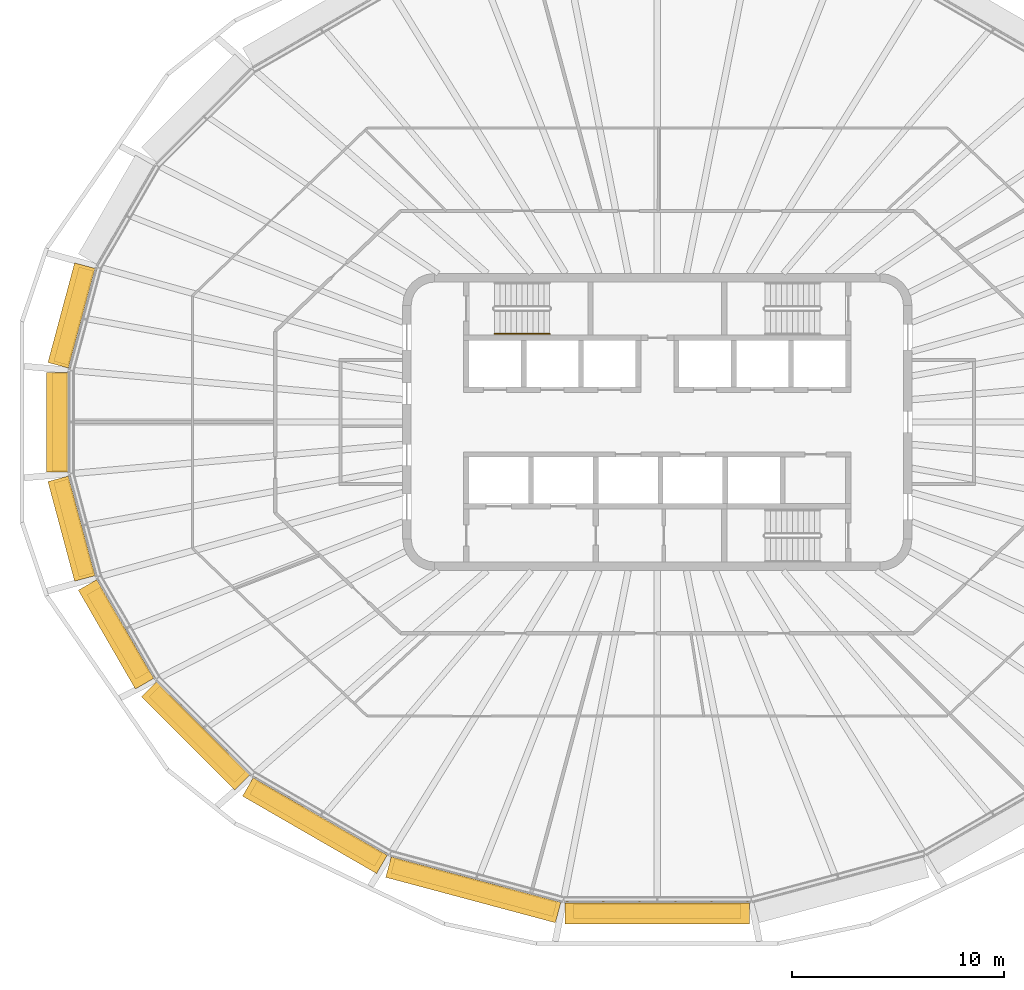
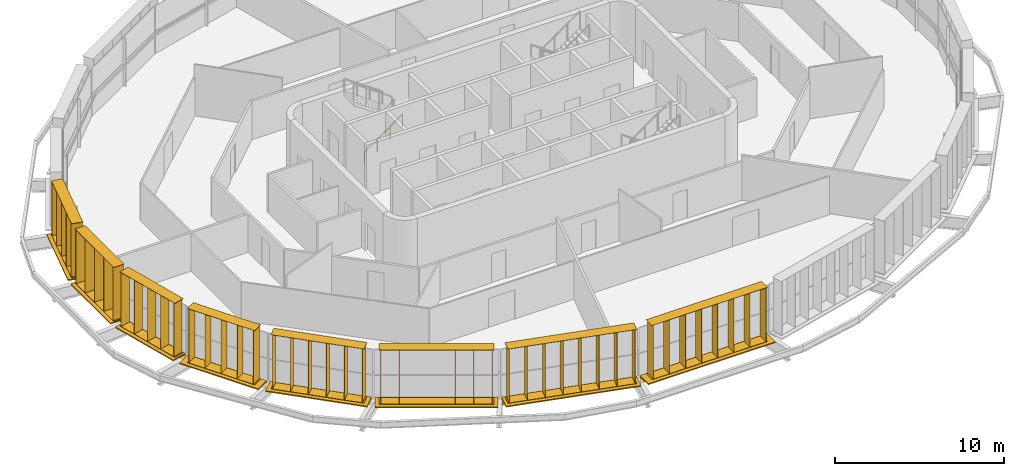
# One storey, part 14 of 18: 16 shading devices, 1 railing.
"""IFC4 building model written with IfcOpenShell, lengths in metres."""

from ifc_helpers import new_model, si_unit, direction, frame, origin, origin_2d, place, context, subcontext, project, spatial, rectangle, circle, extrude, material, type_object, element, save


model = new_model("IFC4")

# Units and contexts
model_context = context("Model", 3, precision=1e-05, world=origin(), true_north=direction((0.0, 1.0)))
body_context = subcontext(model_context, "Body", "Model", "MODEL_VIEW")
ifc_project = project(units=[si_unit("LENGTHUNIT", "METRE"), si_unit("AREAUNIT", "SQUARE_METRE"), si_unit("VOLUMEUNIT", "CUBIC_METRE"), si_unit("PLANEANGLEUNIT", "RADIAN"), si_unit("MASSUNIT", "GRAM", prefix="KILO")], contexts=[model_context])

# Site, building, storey
site_placement = place(None, origin())
site = spatial("IfcSite", under=ifc_project, at=site_placement, CompositionType="ELEMENT")
building_placement = place(site_placement, origin())
building = spatial("IfcBuilding", under=site, at=building_placement, Name="Sahrelin Media Tower", CompositionType="ELEMENT")
storey_placement = place(building_placement, frame((0.0, 0.0, 295.0)))
storey = spatial("IfcBuildingStorey", under=building, at=storey_placement, Name="L65", CompositionType="ELEMENT", Elevation=295.0)

# Shading devices
ifc_material_1 = material(Name="Champagne anodised aluminium 6063-T6", Category="aluminium")
shading_device_type_1 = type_object("IfcShadingDeviceType", Name="Fin cassette", PredefinedType="USERDEFINED", material=ifc_material_1)
placement_1 = place(storey_placement, frame((-27.10205078125, 4.886962890625, 0.0), z_axis=(0.0, 0.0, 1.0), x_axis=(0.258807731996, 0.965928857556, 0.0)))
element("IfcShadingDevice", 1, at=placement_1, inside=storey, type_object=shading_device_type_1, Name="L65:FIN:L65-11", ObjectType="FIN", PredefinedType="USERDEFINED", context=body_context, shape_type="SweptSolid", body=[
    extrude(rectangle(XDim=4.60009765625, YDim=0.699951171875, at=origin_2d()), frame((0.0, 0.419921875, 0.0)), (0.0, 0.0, 1.0), 0.02001953125),
    extrude(rectangle(XDim=4.60009765625, YDim=0.699951171875, at=origin_2d()), frame((0.0, 0.419921875, 3.89990234375)), (0.0, 0.0, 1.0), 0.02001953125),
    extrude(rectangle(XDim=0.02001953125, YDim=0.699951171875, at=origin_2d()), frame((-2.199951171875, 0.419921875, 0.010009765625), z_axis=(0.0, 0.0, 1.0), x_axis=(1.0, 0.0, 0.0)), (0.0, 0.0, 1.0), 3.89990234375),
    extrude(rectangle(XDim=0.02001953125, YDim=0.699951171875, at=origin_2d()), frame((-1.10009765625, 0.419921875, 0.010009765625), z_axis=(0.0, 0.0, 1.0), x_axis=(1.0, 0.0, 0.0)), (0.0, 0.0, 1.0), 3.89990234375),
    extrude(rectangle(XDim=0.02001953125, YDim=0.699951171875, at=origin_2d()), frame((0.0, 0.419921875, 0.010009765625), z_axis=(0.0, 0.0, 1.0), x_axis=(1.0, 0.0, 0.0)), (0.0, 0.0, 1.0), 3.89990234375),
    extrude(rectangle(XDim=0.02001953125, YDim=0.699951171875, at=origin_2d()), frame((1.10009765625, 0.419921875, 0.010009765625), z_axis=(0.0, 0.0, 1.0), x_axis=(1.0, 0.0, 0.0)), (0.0, 0.0, 1.0), 3.89990234375),
    extrude(rectangle(XDim=0.02001953125, YDim=0.699951171875, at=origin_2d()), frame((2.199951171875, 0.419921875, 0.010009765625), z_axis=(0.0, 0.0, 1.0), x_axis=(1.0, 0.0, 0.0)), (0.0, 0.0, 1.0), 3.89990234375),
])
placement_2 = place(storey_placement, frame((-27.756591796875, 0.0, 0.0), z_axis=(0.0, 0.0, 1.0), x_axis=(0.0, 1.0, 0.0)))
element("IfcShadingDevice", 2, at=placement_2, inside=storey, type_object=shading_device_type_1, Name="L65:FIN:L65-12", ObjectType="FIN", PredefinedType="USERDEFINED", context=body_context, shape_type="SweptSolid", body=[
    extrude(rectangle(XDim=4.60009765625, YDim=0.699951171875, at=origin_2d()), frame((0.0, 0.419921875, 0.0)), (0.0, 0.0, 1.0), 0.02001953125),
    extrude(rectangle(XDim=4.60009765625, YDim=0.699951171875, at=origin_2d()), frame((0.0, 0.419921875, 3.89990234375)), (0.0, 0.0, 1.0), 0.02001953125),
    extrude(rectangle(XDim=0.02001953125, YDim=0.699951171875, at=origin_2d()), frame((-2.199951171875, 0.419921875, 0.010009765625), z_axis=(0.0, 0.0, 1.0), x_axis=(1.0, 0.0, 0.0)), (0.0, 0.0, 1.0), 3.89990234375),
    extrude(rectangle(XDim=0.02001953125, YDim=0.699951171875, at=origin_2d()), frame((-1.10009765625, 0.419921875, 0.010009765625), z_axis=(0.0, 0.0, 1.0), x_axis=(1.0, 0.0, 0.0)), (0.0, 0.0, 1.0), 3.89990234375),
    extrude(rectangle(XDim=0.02001953125, YDim=0.699951171875, at=origin_2d()), frame((0.0, 0.419921875, 0.010009765625), z_axis=(0.0, 0.0, 1.0), x_axis=(1.0, 0.0, 0.0)), (0.0, 0.0, 1.0), 3.89990234375),
    extrude(rectangle(XDim=0.02001953125, YDim=0.699951171875, at=origin_2d()), frame((1.10009765625, 0.419921875, 0.010009765625), z_axis=(0.0, 0.0, 1.0), x_axis=(1.0, 0.0, 0.0)), (0.0, 0.0, 1.0), 3.89990234375),
    extrude(rectangle(XDim=0.02001953125, YDim=0.699951171875, at=origin_2d()), frame((2.199951171875, 0.419921875, 0.010009765625), z_axis=(0.0, 0.0, 1.0), x_axis=(1.0, 0.0, 0.0)), (0.0, 0.0, 1.0), 3.89990234375),
])
placement_3 = place(storey_placement, frame((-27.10205078125, -4.88671875, 0.0), z_axis=(0.0, 0.0, 1.0), x_axis=(-0.258807731996, 0.965928857556, 0.0)))
element("IfcShadingDevice", 3, at=placement_3, inside=storey, type_object=shading_device_type_1, Name="L65:FIN:L65-13", ObjectType="FIN", PredefinedType="USERDEFINED", context=body_context, shape_type="SweptSolid", body=[
    extrude(rectangle(XDim=4.60009765625, YDim=0.699951171875, at=origin_2d()), frame((0.0, 0.419921875, 0.0)), (0.0, 0.0, 1.0), 0.02001953125),
    extrude(rectangle(XDim=4.60009765625, YDim=0.699951171875, at=origin_2d()), frame((0.0, 0.419921875, 3.89990234375)), (0.0, 0.0, 1.0), 0.02001953125),
    extrude(rectangle(XDim=0.02001953125, YDim=0.699951171875, at=origin_2d()), frame((-2.199951171875, 0.419921875, 0.010009765625), z_axis=(0.0, 0.0, 1.0), x_axis=(1.0, 0.0, 0.0)), (0.0, 0.0, 1.0), 3.89990234375),
    extrude(rectangle(XDim=0.02001953125, YDim=0.699951171875, at=origin_2d()), frame((-1.10009765625, 0.419921875, 0.010009765625), z_axis=(0.0, 0.0, 1.0), x_axis=(1.0, 0.0, 0.0)), (0.0, 0.0, 1.0), 3.89990234375),
    extrude(rectangle(XDim=0.02001953125, YDim=0.699951171875, at=origin_2d()), frame((0.0, 0.419921875, 0.010009765625), z_axis=(0.0, 0.0, 1.0), x_axis=(1.0, 0.0, 0.0)), (0.0, 0.0, 1.0), 3.89990234375),
    extrude(rectangle(XDim=0.02001953125, YDim=0.699951171875, at=origin_2d()), frame((1.10009765625, 0.419921875, 0.010009765625), z_axis=(0.0, 0.0, 1.0), x_axis=(1.0, 0.0, 0.0)), (0.0, 0.0, 1.0), 3.89990234375),
    extrude(rectangle(XDim=0.02001953125, YDim=0.699951171875, at=origin_2d()), frame((2.199951171875, 0.419921875, 0.010009765625), z_axis=(0.0, 0.0, 1.0), x_axis=(1.0, 0.0, 0.0)), (0.0, 0.0, 1.0), 3.89990234375),
])
placement_4 = place(storey_placement, frame((-25.0546875, -9.74169921875, 0.0), z_axis=(0.0, 0.0, 1.0), x_axis=(-0.500011000363, 0.866019052629, 0.0)))
element("IfcShadingDevice", 4, at=placement_4, inside=storey, type_object=shading_device_type_1, Name="L65:FIN:L65-14", ObjectType="FIN", PredefinedType="USERDEFINED", context=body_context, shape_type="SweptSolid", body=[
    extrude(rectangle(XDim=4.60009765625, YDim=0.699951171875, at=origin_2d()), frame((0.0, 0.419921875, 0.0)), (0.0, 0.0, 1.0), 0.02001953125),
    extrude(rectangle(XDim=4.60009765625, YDim=0.699951171875, at=origin_2d()), frame((0.0, 0.419921875, 3.89990234375)), (0.0, 0.0, 1.0), 0.02001953125),
    extrude(rectangle(XDim=0.02001953125, YDim=0.699951171875, at=origin_2d()), frame((-2.199951171875, 0.419921875, 0.010009765625), z_axis=(0.0, 0.0, 1.0), x_axis=(1.0, 0.0, 0.0)), (0.0, 0.0, 1.0), 3.89990234375),
    extrude(rectangle(XDim=0.02001953125, YDim=0.699951171875, at=origin_2d()), frame((-1.10009765625, 0.419921875, 0.010009765625), z_axis=(0.0, 0.0, 1.0), x_axis=(1.0, 0.0, 0.0)), (0.0, 0.0, 1.0), 3.89990234375),
    extrude(rectangle(XDim=0.02001953125, YDim=0.699951171875, at=origin_2d()), frame((0.0, 0.419921875, 0.010009765625), z_axis=(0.0, 0.0, 1.0), x_axis=(1.0, 0.0, 0.0)), (0.0, 0.0, 1.0), 3.89990234375),
    extrude(rectangle(XDim=0.02001953125, YDim=0.699951171875, at=origin_2d()), frame((1.10009765625, 0.419921875, 0.010009765625), z_axis=(0.0, 0.0, 1.0), x_axis=(1.0, 0.0, 0.0)), (0.0, 0.0, 1.0), 3.89990234375),
    extrude(rectangle(XDim=0.02001953125, YDim=0.699951171875, at=origin_2d()), frame((2.199951171875, 0.419921875, 0.010009765625), z_axis=(0.0, 0.0, 1.0), x_axis=(1.0, 0.0, 0.0)), (0.0, 0.0, 1.0), 3.89990234375),
])
placement_5 = place(storey_placement, frame((-21.392333984375, -14.423828125, 0.0), z_axis=(0.0, 0.0, 1.0), x_axis=(-0.707106781187, 0.707106781187, 0.0)))
element("IfcShadingDevice", 5, at=placement_5, inside=storey, type_object=shading_device_type_1, Name="L65:FIN:L65-15", ObjectType="FIN", PredefinedType="USERDEFINED", context=body_context, shape_type="SweptSolid", body=[
    extrude(rectangle(XDim=5.699951171875, YDim=0.699951171875, at=origin_2d()), frame((0.0, 0.419921875, 0.0)), (0.0, 0.0, 1.0), 0.02001953125),
    extrude(rectangle(XDim=5.699951171875, YDim=0.699951171875, at=origin_2d()), frame((0.0, 0.419921875, 3.89990234375)), (0.0, 0.0, 1.0), 0.02001953125),
    extrude(rectangle(XDim=0.02001953125, YDim=0.699951171875, at=origin_2d()), frame((-2.75, 0.419921875, 0.010009765625), z_axis=(0.0, 0.0, 1.0), x_axis=(1.0, 0.0, 0.0)), (0.0, 0.0, 1.0), 3.89990234375),
    extrude(rectangle(XDim=0.02001953125, YDim=0.699951171875, at=origin_2d()), frame((-1.64990234375, 0.419921875, 0.010009765625), z_axis=(0.0, 0.0, 1.0), x_axis=(1.0, 0.0, 0.0)), (0.0, 0.0, 1.0), 3.89990234375),
    extrude(rectangle(XDim=0.02001953125, YDim=0.699951171875, at=origin_2d()), frame((-0.550048828125, 0.419921875, 0.010009765625), z_axis=(0.0, 0.0, 1.0), x_axis=(1.0, 0.0, 0.0)), (0.0, 0.0, 1.0), 3.89990234375),
    extrude(rectangle(XDim=0.02001953125, YDim=0.699951171875, at=origin_2d()), frame((0.550048828125, 0.419921875, 0.010009765625), z_axis=(0.0, 0.0, 1.0), x_axis=(1.0, 0.0, 0.0)), (0.0, 0.0, 1.0), 3.89990234375),
    extrude(rectangle(XDim=0.02001953125, YDim=0.699951171875, at=origin_2d()), frame((1.64990234375, 0.419921875, 0.010009765625), z_axis=(0.0, 0.0, 1.0), x_axis=(1.0, 0.0, 0.0)), (0.0, 0.0, 1.0), 3.89990234375),
    extrude(rectangle(XDim=0.02001953125, YDim=0.699951171875, at=origin_2d()), frame((2.75, 0.419921875, 0.010009765625), z_axis=(0.0, 0.0, 1.0), x_axis=(1.0, 0.0, 0.0)), (0.0, 0.0, 1.0), 3.89990234375),
])
placement_6 = place(storey_placement, frame((-15.87646484375, -18.567626953125, 0.0), z_axis=(0.0, 0.0, 1.0), x_axis=(-0.866019052629, 0.500011000363, 0.0)))
element("IfcShadingDevice", 6, at=placement_6, inside=storey, type_object=shading_device_type_1, Name="L65:FIN:L65-16", ObjectType="FIN", PredefinedType="USERDEFINED", context=body_context, shape_type="SweptSolid", body=[
    extrude(rectangle(XDim=6.800048828125, YDim=0.699951171875, at=origin_2d()), frame((0.0, 0.419921875, 0.0)), (0.0, 0.0, 1.0), 0.02001953125),
    extrude(rectangle(XDim=6.800048828125, YDim=0.699951171875, at=origin_2d()), frame((0.0, 0.419921875, 3.89990234375)), (0.0, 0.0, 1.0), 0.02001953125),
    extrude(rectangle(XDim=0.02001953125, YDim=0.699951171875, at=origin_2d()), frame((-3.300048828125, 0.419921875, 0.010009765625), z_axis=(0.0, 0.0, 1.0), x_axis=(1.0, 0.0, 0.0)), (0.0, 0.0, 1.0), 3.89990234375),
    extrude(rectangle(XDim=0.02001953125, YDim=0.699951171875, at=origin_2d()), frame((-2.199951171875, 0.419921875, 0.010009765625), z_axis=(0.0, 0.0, 1.0), x_axis=(1.0, 0.0, 0.0)), (0.0, 0.0, 1.0), 3.89990234375),
    extrude(rectangle(XDim=0.02001953125, YDim=0.699951171875, at=origin_2d()), frame((-1.10009765625, 0.419921875, 0.010009765625), z_axis=(0.0, 0.0, 1.0), x_axis=(1.0, 0.0, 0.0)), (0.0, 0.0, 1.0), 3.89990234375),
    extrude(rectangle(XDim=0.02001953125, YDim=0.699951171875, at=origin_2d()), frame((0.0, 0.419921875, 0.010009765625), z_axis=(0.0, 0.0, 1.0), x_axis=(1.0, 0.0, 0.0)), (0.0, 0.0, 1.0), 3.89990234375),
    extrude(rectangle(XDim=0.02001953125, YDim=0.699951171875, at=origin_2d()), frame((1.10009765625, 0.419921875, 0.010009765625), z_axis=(0.0, 0.0, 1.0), x_axis=(1.0, 0.0, 0.0)), (0.0, 0.0, 1.0), 3.89990234375),
    extrude(rectangle(XDim=0.02001953125, YDim=0.699951171875, at=origin_2d()), frame((2.199951171875, 0.419921875, 0.010009765625), z_axis=(0.0, 0.0, 1.0), x_axis=(1.0, 0.0, 0.0)), (0.0, 0.0, 1.0), 3.89990234375),
    extrude(rectangle(XDim=0.02001953125, YDim=0.699951171875, at=origin_2d()), frame((3.300048828125, 0.419921875, 0.010009765625), z_axis=(0.0, 0.0, 1.0), x_axis=(1.0, 0.0, 0.0)), (0.0, 0.0, 1.0), 3.89990234375),
])
placement_7 = place(storey_placement, frame((-8.536865234375, -21.53857421875, 0.0), z_axis=(0.0, 0.0, 1.0), x_axis=(-0.965928857556, 0.258807731996, 0.0)))
element("IfcShadingDevice", 7, at=placement_7, inside=storey, type_object=shading_device_type_1, Name="L65:FIN:L65-17", ObjectType="FIN", PredefinedType="USERDEFINED", context=body_context, shape_type="SweptSolid", body=[
    extrude(rectangle(XDim=7.89990234375, YDim=0.699951171875, at=origin_2d()), frame((0.0, 0.419921875, 0.0)), (0.0, 0.0, 1.0), 0.02001953125),
    extrude(rectangle(XDim=7.89990234375, YDim=0.699951171875, at=origin_2d()), frame((0.0, 0.419921875, 3.89990234375)), (0.0, 0.0, 1.0), 0.02001953125),
    extrude(rectangle(XDim=0.02001953125, YDim=0.699951171875, at=origin_2d()), frame((-3.85009765625, 0.419921875, 0.010009765625), z_axis=(0.0, 0.0, 1.0), x_axis=(1.0, 0.0, 0.0)), (0.0, 0.0, 1.0), 3.89990234375),
    extrude(rectangle(XDim=0.02001953125, YDim=0.699951171875, at=origin_2d()), frame((-2.75, 0.419921875, 0.010009765625), z_axis=(0.0, 0.0, 1.0), x_axis=(1.0, 0.0, 0.0)), (0.0, 0.0, 1.0), 3.89990234375),
    extrude(rectangle(XDim=0.02001953125, YDim=0.699951171875, at=origin_2d()), frame((-1.64990234375, 0.419921875, 0.010009765625), z_axis=(0.0, 0.0, 1.0), x_axis=(1.0, 0.0, 0.0)), (0.0, 0.0, 1.0), 3.89990234375),
    extrude(rectangle(XDim=0.02001953125, YDim=0.699951171875, at=origin_2d()), frame((-0.550048828125, 0.419921875, 0.010009765625), z_axis=(0.0, 0.0, 1.0), x_axis=(1.0, 0.0, 0.0)), (0.0, 0.0, 1.0), 3.89990234375),
    extrude(rectangle(XDim=0.02001953125, YDim=0.699951171875, at=origin_2d()), frame((0.550048828125, 0.419921875, 0.010009765625), z_axis=(0.0, 0.0, 1.0), x_axis=(1.0, 0.0, 0.0)), (0.0, 0.0, 1.0), 3.89990234375),
    extrude(rectangle(XDim=0.02001953125, YDim=0.699951171875, at=origin_2d()), frame((1.64990234375, 0.419921875, 0.010009765625), z_axis=(0.0, 0.0, 1.0), x_axis=(1.0, 0.0, 0.0)), (0.0, 0.0, 1.0), 3.89990234375),
    extrude(rectangle(XDim=0.02001953125, YDim=0.699951171875, at=origin_2d()), frame((2.75, 0.419921875, 0.010009765625), z_axis=(0.0, 0.0, 1.0), x_axis=(1.0, 0.0, 0.0)), (0.0, 0.0, 1.0), 3.89990234375),
    extrude(rectangle(XDim=0.02001953125, YDim=0.699951171875, at=origin_2d()), frame((3.85009765625, 0.419921875, 0.010009765625), z_axis=(0.0, 0.0, 1.0), x_axis=(1.0, 0.0, 0.0)), (0.0, 0.0, 1.0), 3.89990234375),
])
placement_8 = place(storey_placement, frame((0.0, -22.635498046875, 0.0), z_axis=(0.0, 0.0, 1.0), x_axis=(-1.0, 0.0, 0.0)))
element("IfcShadingDevice", 8, at=placement_8, inside=storey, type_object=shading_device_type_1, Name="L65:FIN:L65-18", ObjectType="FIN", PredefinedType="USERDEFINED", context=body_context, shape_type="SweptSolid", body=[
    extrude(rectangle(XDim=7.89990234375, YDim=0.699951171875, at=origin_2d()), frame((0.0, 0.419921875, 0.0)), (0.0, 0.0, 1.0), 0.02001953125),
    extrude(rectangle(XDim=7.89990234375, YDim=0.699951171875, at=origin_2d()), frame((0.0, 0.419921875, 3.89990234375)), (0.0, 0.0, 1.0), 0.02001953125),
    extrude(rectangle(XDim=0.02001953125, YDim=0.699951171875, at=origin_2d()), frame((-3.85009765625, 0.419921875, 0.010009765625), z_axis=(0.0, 0.0, 1.0), x_axis=(1.0, 0.0, 0.0)), (0.0, 0.0, 1.0), 3.89990234375),
    extrude(rectangle(XDim=0.02001953125, YDim=0.699951171875, at=origin_2d()), frame((-2.75, 0.419921875, 0.010009765625), z_axis=(0.0, 0.0, 1.0), x_axis=(1.0, 0.0, 0.0)), (0.0, 0.0, 1.0), 3.89990234375),
    extrude(rectangle(XDim=0.02001953125, YDim=0.699951171875, at=origin_2d()), frame((-1.64990234375, 0.419921875, 0.010009765625), z_axis=(0.0, 0.0, 1.0), x_axis=(1.0, 0.0, 0.0)), (0.0, 0.0, 1.0), 3.89990234375),
    extrude(rectangle(XDim=0.02001953125, YDim=0.699951171875, at=origin_2d()), frame((-0.550048828125, 0.419921875, 0.010009765625), z_axis=(0.0, 0.0, 1.0), x_axis=(1.0, 0.0, 0.0)), (0.0, 0.0, 1.0), 3.89990234375),
    extrude(rectangle(XDim=0.02001953125, YDim=0.699951171875, at=origin_2d()), frame((0.550048828125, 0.419921875, 0.010009765625), z_axis=(0.0, 0.0, 1.0), x_axis=(1.0, 0.0, 0.0)), (0.0, 0.0, 1.0), 3.89990234375),
    extrude(rectangle(XDim=0.02001953125, YDim=0.699951171875, at=origin_2d()), frame((1.64990234375, 0.419921875, 0.010009765625), z_axis=(0.0, 0.0, 1.0), x_axis=(1.0, 0.0, 0.0)), (0.0, 0.0, 1.0), 3.89990234375),
    extrude(rectangle(XDim=0.02001953125, YDim=0.699951171875, at=origin_2d()), frame((2.75, 0.419921875, 0.010009765625), z_axis=(0.0, 0.0, 1.0), x_axis=(1.0, 0.0, 0.0)), (0.0, 0.0, 1.0), 3.89990234375),
    extrude(rectangle(XDim=0.02001953125, YDim=0.699951171875, at=origin_2d()), frame((3.85009765625, 0.419921875, 0.010009765625), z_axis=(0.0, 0.0, 1.0), x_axis=(1.0, 0.0, 0.0)), (0.0, 0.0, 1.0), 3.89990234375),
])

# Railing
ifc_material_2 = material(Name="Steel S355", Category="steel")
railing_type = type_object("IfcRailingType", Name="Stair handrail 900", PredefinedType="HANDRAIL", material=ifc_material_2)
railing_placement = place(storey_placement, frame((-7.675048828125, 4.14990234375, 0.181884765625)))
element("IfcRailing", 9, at=railing_placement, inside=storey, type_object=railing_type, Name="L65 ST1 stair handrail 1", PredefinedType="HANDRAIL", context=body_context, shape_type="SweptSolid", body=[
    extrude(circle(Radius=0.02392578125, at=origin_2d()), frame((0.0, 0.0, 0.8759765625), z_axis=(0.819521025635, 0.0, 0.573049115296), x_axis=(0.0, 1.0, 0.0)), (0.0, 0.0, 1.0), 3.172607421875),
    extrude(circle(Radius=0.02099609375, at=origin_2d()), origin(), (0.0, 0.0, 1.0), 0.851806640625),
    extrude(circle(Radius=0.02099609375, at=origin_2d()), frame((0.86669921875, 0.0, 0.60595703125)), (0.0, 0.0, 1.0), 0.851806640625),
    extrude(circle(Radius=0.02099609375, at=origin_2d()), frame((1.7333984375, 0.0, 1.212158203125)), (0.0, 0.0, 1.0), 0.851806640625),
    extrude(circle(Radius=0.02099609375, at=origin_2d()), frame((2.60009765625, 0.0, 1.818115234375)), (0.0, 0.0, 1.0), 0.851806640625),
])

# Shading devices
shading_device_type_2 = type_object("IfcShadingDeviceType", Name="Sunshade band", PredefinedType="USERDEFINED", material=ifc_material_1)
element("IfcShadingDevice", 10, at=placement_1, inside=storey, type_object=shading_device_type_2, Name="L65:SUN:L65-11", ObjectType="SUNSHADE", PredefinedType="USERDEFINED", context=body_context, shape_type="SweptSolid", body=[
    extrude(rectangle(XDim=4.857666015625, YDim=0.050048828125, at=origin_2d()), frame((0.0, 0.044921875, -0.55126953125)), (0.0, 0.0, 1.0), 0.471435546875),
    extrude(rectangle(XDim=4.857666015625, YDim=1.0, at=origin_2d()), frame((0.0, 0.52001953125, -0.080078125)), (0.0, 0.0, 1.0), 0.080078125),
    extrude(rectangle(XDim=0.10009765625, YDim=0.074951171875, at=origin_2d()), frame((-2.328857421875, -0.017578125, -0.47021484375)), (0.0, 0.0, 1.0), 0.300048828125),
    extrude(rectangle(XDim=0.10009765625, YDim=0.074951171875, at=origin_2d()), frame((-0.7763671875, -0.017578125, -0.47021484375)), (0.0, 0.0, 1.0), 0.300048828125),
    extrude(rectangle(XDim=0.10009765625, YDim=0.074951171875, at=origin_2d()), frame((0.7763671875, -0.017578125, -0.47021484375)), (0.0, 0.0, 1.0), 0.300048828125),
    extrude(rectangle(XDim=0.10009765625, YDim=0.074951171875, at=origin_2d()), frame((2.328857421875, -0.017578125, -0.47021484375)), (0.0, 0.0, 1.0), 0.300048828125),
])
element("IfcShadingDevice", 11, at=placement_2, inside=storey, type_object=shading_device_type_2, Name="L65:SUN:L65-12", ObjectType="SUNSHADE", PredefinedType="USERDEFINED", context=body_context, shape_type="SweptSolid", body=[
    extrude(rectangle(XDim=4.6884765625, YDim=0.050048828125, at=origin_2d()), frame((0.0, 0.044921875, -0.55126953125)), (0.0, 0.0, 1.0), 0.471435546875),
    extrude(rectangle(XDim=4.6884765625, YDim=1.0, at=origin_2d()), frame((0.0, 0.52001953125, -0.080078125)), (0.0, 0.0, 1.0), 0.080078125),
    extrude(rectangle(XDim=0.10009765625, YDim=0.074951171875, at=origin_2d()), frame((-2.244140625, -0.017578125, -0.47021484375)), (0.0, 0.0, 1.0), 0.300048828125),
    extrude(rectangle(XDim=0.10009765625, YDim=0.074951171875, at=origin_2d()), frame((-0.748046875, -0.017578125, -0.47021484375)), (0.0, 0.0, 1.0), 0.300048828125),
    extrude(rectangle(XDim=0.10009765625, YDim=0.074951171875, at=origin_2d()), frame((0.748046875, -0.017578125, -0.47021484375)), (0.0, 0.0, 1.0), 0.300048828125),
    extrude(rectangle(XDim=0.10009765625, YDim=0.074951171875, at=origin_2d()), frame((2.244140625, -0.017578125, -0.47021484375)), (0.0, 0.0, 1.0), 0.300048828125),
])
element("IfcShadingDevice", 12, at=placement_3, inside=storey, type_object=shading_device_type_2, Name="L65:SUN:L65-13", ObjectType="SUNSHADE", PredefinedType="USERDEFINED", context=body_context, shape_type="SweptSolid", body=[
    extrude(rectangle(XDim=4.857666015625, YDim=0.050048828125, at=origin_2d()), frame((0.0, 0.044921875, -0.55126953125)), (0.0, 0.0, 1.0), 0.471435546875),
    extrude(rectangle(XDim=4.857666015625, YDim=1.0, at=origin_2d()), frame((0.0, 0.52001953125, -0.080078125)), (0.0, 0.0, 1.0), 0.080078125),
    extrude(rectangle(XDim=0.10009765625, YDim=0.074951171875, at=origin_2d()), frame((-2.328857421875, -0.017578125, -0.47021484375)), (0.0, 0.0, 1.0), 0.300048828125),
    extrude(rectangle(XDim=0.10009765625, YDim=0.074951171875, at=origin_2d()), frame((-0.7763671875, -0.017578125, -0.47021484375)), (0.0, 0.0, 1.0), 0.300048828125),
    extrude(rectangle(XDim=0.10009765625, YDim=0.074951171875, at=origin_2d()), frame((0.7763671875, -0.017578125, -0.47021484375)), (0.0, 0.0, 1.0), 0.300048828125),
    extrude(rectangle(XDim=0.10009765625, YDim=0.074951171875, at=origin_2d()), frame((2.328857421875, -0.017578125, -0.47021484375)), (0.0, 0.0, 1.0), 0.300048828125),
])
element("IfcShadingDevice", 13, at=placement_4, inside=storey, type_object=shading_device_type_2, Name="L65:SUN:L65-14", ObjectType="SUNSHADE", PredefinedType="USERDEFINED", context=body_context, shape_type="SweptSolid", body=[
    extrude(rectangle(XDim=5.370849609375, YDim=0.050048828125, at=origin_2d()), frame((0.0, 0.044921875, -0.55126953125)), (0.0, 0.0, 1.0), 0.471435546875),
    extrude(rectangle(XDim=5.370849609375, YDim=1.0, at=origin_2d()), frame((0.0, 0.52001953125, -0.080078125)), (0.0, 0.0, 1.0), 0.080078125),
    extrude(rectangle(XDim=0.10009765625, YDim=0.074951171875, at=origin_2d()), frame((-2.58544921875, -0.017578125, -0.47021484375)), (0.0, 0.0, 1.0), 0.300048828125),
    extrude(rectangle(XDim=0.10009765625, YDim=0.074951171875, at=origin_2d()), frame((-0.86181640625, -0.017578125, -0.47021484375)), (0.0, 0.0, 1.0), 0.300048828125),
    extrude(rectangle(XDim=0.10009765625, YDim=0.074951171875, at=origin_2d()), frame((0.86181640625, -0.017578125, -0.47021484375)), (0.0, 0.0, 1.0), 0.300048828125),
    extrude(rectangle(XDim=0.10009765625, YDim=0.074951171875, at=origin_2d()), frame((2.58544921875, -0.017578125, -0.47021484375)), (0.0, 0.0, 1.0), 0.300048828125),
])
element("IfcShadingDevice", 14, at=placement_5, inside=storey, type_object=shading_device_type_2, Name="L65:SUN:L65-15", ObjectType="SUNSHADE", PredefinedType="USERDEFINED", context=body_context, shape_type="SweptSolid", body=[
    extrude(rectangle(XDim=6.22021484375, YDim=0.050048828125, at=origin_2d()), frame((0.0, 0.044921875, -0.55126953125)), (0.0, 0.0, 1.0), 0.471435546875),
    extrude(rectangle(XDim=6.22021484375, YDim=1.0, at=origin_2d()), frame((0.0, 0.52001953125, -0.080078125)), (0.0, 0.0, 1.0), 0.080078125),
    extrude(rectangle(XDim=0.10009765625, YDim=0.074951171875, at=origin_2d()), frame((-3.010009765625, -0.017578125, -0.47021484375)), (0.0, 0.0, 1.0), 0.300048828125),
    extrude(rectangle(XDim=0.10009765625, YDim=0.074951171875, at=origin_2d()), frame((-1.5048828125, -0.017578125, -0.47021484375)), (0.0, 0.0, 1.0), 0.300048828125),
    extrude(rectangle(XDim=0.10009765625, YDim=0.074951171875, at=origin_2d()), frame((0.0, -0.017578125, -0.47021484375)), (0.0, 0.0, 1.0), 0.300048828125),
    extrude(rectangle(XDim=0.10009765625, YDim=0.074951171875, at=origin_2d()), frame((1.5048828125, -0.017578125, -0.47021484375)), (0.0, 0.0, 1.0), 0.300048828125),
    extrude(rectangle(XDim=0.10009765625, YDim=0.074951171875, at=origin_2d()), frame((3.010009765625, -0.017578125, -0.47021484375)), (0.0, 0.0, 1.0), 0.300048828125),
])
element("IfcShadingDevice", 15, at=placement_6, inside=storey, type_object=shading_device_type_2, Name="L65:SUN:L65-16", ObjectType="SUNSHADE", PredefinedType="USERDEFINED", context=body_context, shape_type="SweptSolid", body=[
    extrude(rectangle(XDim=7.2958984375, YDim=0.050048828125, at=origin_2d()), frame((0.0, 0.044921875, -0.55126953125)), (0.0, 0.0, 1.0), 0.471435546875),
    extrude(rectangle(XDim=7.2958984375, YDim=1.0, at=origin_2d()), frame((0.0, 0.52001953125, -0.080078125)), (0.0, 0.0, 1.0), 0.080078125),
    extrude(rectangle(XDim=0.10009765625, YDim=0.074951171875, at=origin_2d()), frame((-3.548095703125, -0.017578125, -0.47021484375)), (0.0, 0.0, 1.0), 0.300048828125),
    extrude(rectangle(XDim=0.10009765625, YDim=0.074951171875, at=origin_2d()), frame((-1.77392578125, -0.017578125, -0.47021484375)), (0.0, 0.0, 1.0), 0.300048828125),
    extrude(rectangle(XDim=0.10009765625, YDim=0.074951171875, at=origin_2d()), frame((0.0, -0.017578125, -0.47021484375)), (0.0, 0.0, 1.0), 0.300048828125),
    extrude(rectangle(XDim=0.10009765625, YDim=0.074951171875, at=origin_2d()), frame((1.77392578125, -0.017578125, -0.47021484375)), (0.0, 0.0, 1.0), 0.300048828125),
    extrude(rectangle(XDim=0.10009765625, YDim=0.074951171875, at=origin_2d()), frame((3.548095703125, -0.017578125, -0.47021484375)), (0.0, 0.0, 1.0), 0.300048828125),
])
element("IfcShadingDevice", 16, at=placement_7, inside=storey, type_object=shading_device_type_2, Name="L65:SUN:L65-17", ObjectType="SUNSHADE", PredefinedType="USERDEFINED", context=body_context, shape_type="SweptSolid", body=[
    extrude(rectangle(XDim=8.2763671875, YDim=0.050048828125, at=origin_2d()), frame((0.0, 0.044921875, -0.55126953125)), (0.0, 0.0, 1.0), 0.471435546875),
    extrude(rectangle(XDim=8.2763671875, YDim=1.0, at=origin_2d()), frame((0.0, 0.52001953125, -0.080078125)), (0.0, 0.0, 1.0), 0.080078125),
    extrude(rectangle(XDim=0.10009765625, YDim=0.074951171875, at=origin_2d()), frame((-4.0380859375, -0.017578125, -0.47021484375)), (0.0, 0.0, 1.0), 0.300048828125),
    extrude(rectangle(XDim=0.10009765625, YDim=0.074951171875, at=origin_2d()), frame((-2.4228515625, -0.017578125, -0.47021484375)), (0.0, 0.0, 1.0), 0.300048828125),
    extrude(rectangle(XDim=0.10009765625, YDim=0.074951171875, at=origin_2d()), frame((-0.8076171875, -0.017578125, -0.47021484375)), (0.0, 0.0, 1.0), 0.300048828125),
    extrude(rectangle(XDim=0.10009765625, YDim=0.074951171875, at=origin_2d()), frame((0.8076171875, -0.017578125, -0.47021484375)), (0.0, 0.0, 1.0), 0.300048828125),
    extrude(rectangle(XDim=0.10009765625, YDim=0.074951171875, at=origin_2d()), frame((2.4228515625, -0.017578125, -0.47021484375)), (0.0, 0.0, 1.0), 0.300048828125),
    extrude(rectangle(XDim=0.10009765625, YDim=0.074951171875, at=origin_2d()), frame((4.0380859375, -0.017578125, -0.47021484375)), (0.0, 0.0, 1.0), 0.300048828125),
])
element("IfcShadingDevice", 17, at=placement_8, inside=storey, type_object=shading_device_type_2, Name="L65:SUN:L65-18", ObjectType="SUNSHADE", PredefinedType="USERDEFINED", context=body_context, shape_type="SweptSolid", body=[
    extrude(rectangle(XDim=8.686279296875, YDim=0.050048828125, at=origin_2d()), frame((0.0, 0.044921875, -0.55126953125)), (0.0, 0.0, 1.0), 0.471435546875),
    extrude(rectangle(XDim=8.686279296875, YDim=1.0, at=origin_2d()), frame((0.0, 0.52001953125, -0.080078125)), (0.0, 0.0, 1.0), 0.080078125),
    extrude(rectangle(XDim=0.10009765625, YDim=0.074951171875, at=origin_2d()), frame((-4.2431640625, -0.017578125, -0.47021484375)), (0.0, 0.0, 1.0), 0.300048828125),
    extrude(rectangle(XDim=0.10009765625, YDim=0.074951171875, at=origin_2d()), frame((-2.5458984375, -0.017578125, -0.47021484375)), (0.0, 0.0, 1.0), 0.300048828125),
    extrude(rectangle(XDim=0.10009765625, YDim=0.074951171875, at=origin_2d()), frame((-0.8486328125, -0.017578125, -0.47021484375)), (0.0, 0.0, 1.0), 0.300048828125),
    extrude(rectangle(XDim=0.10009765625, YDim=0.074951171875, at=origin_2d()), frame((0.8486328125, -0.017578125, -0.47021484375)), (0.0, 0.0, 1.0), 0.300048828125),
    extrude(rectangle(XDim=0.10009765625, YDim=0.074951171875, at=origin_2d()), frame((2.5458984375, -0.017578125, -0.47021484375)), (0.0, 0.0, 1.0), 0.300048828125),
    extrude(rectangle(XDim=0.10009765625, YDim=0.074951171875, at=origin_2d()), frame((4.2431640625, -0.017578125, -0.47021484375)), (0.0, 0.0, 1.0), 0.300048828125),
])

save(model, "model.ifc")
